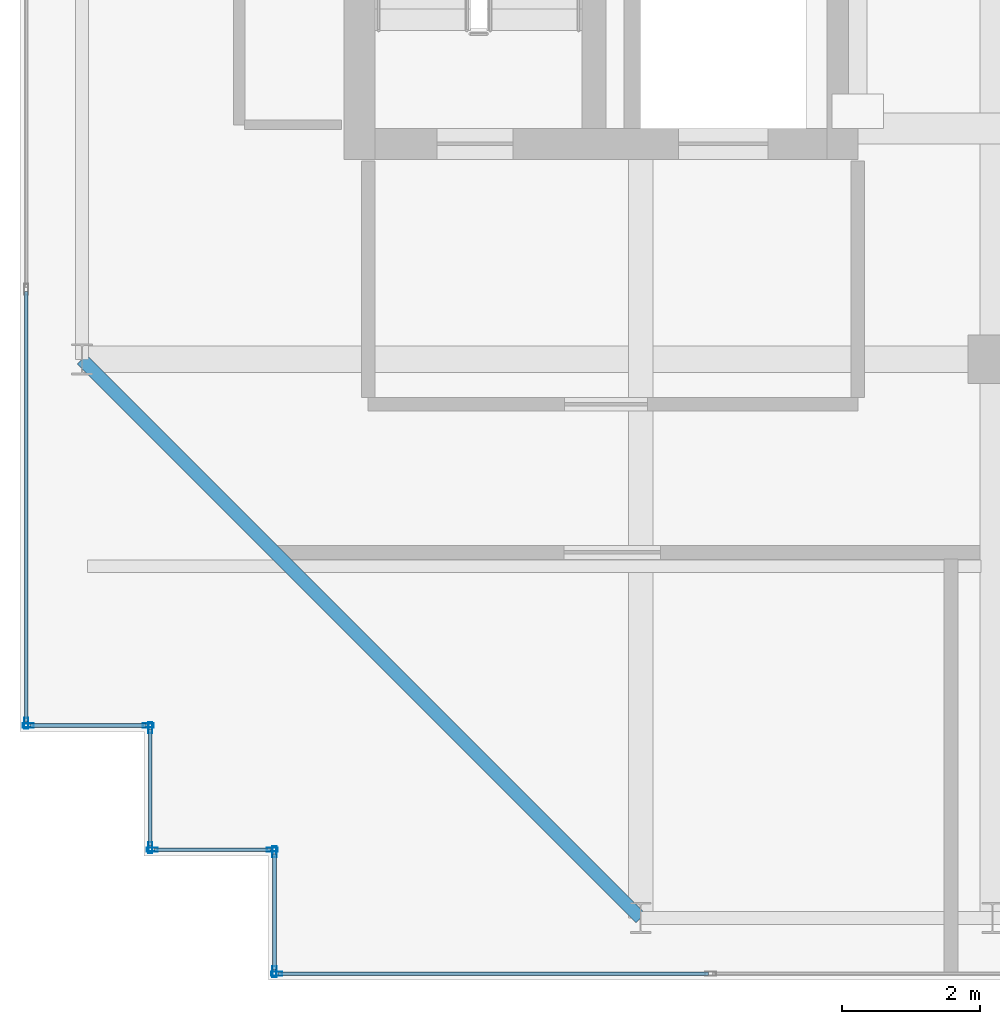
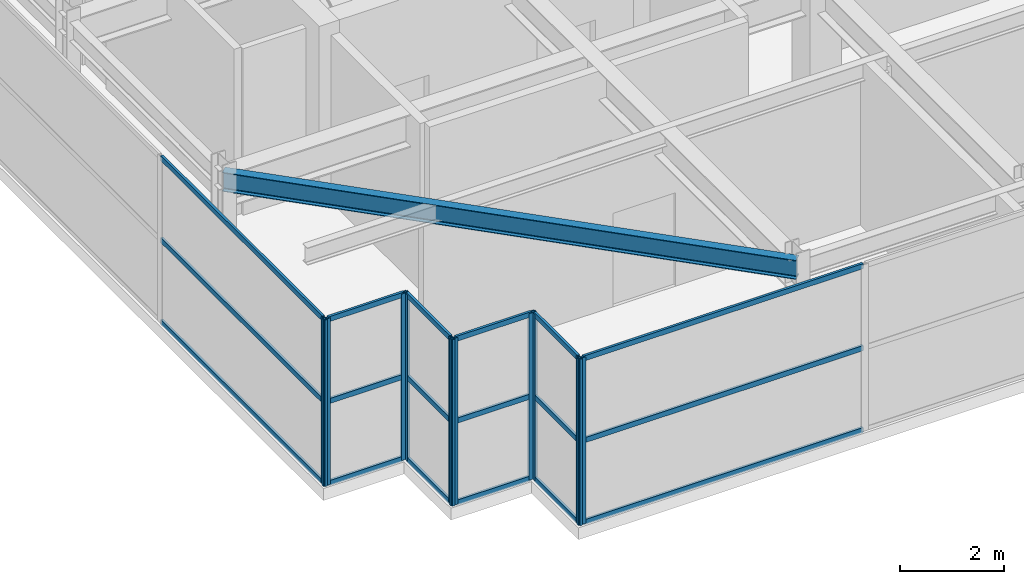
# One storey, part 2 of 32: 28 members, 1 beam, 6 elements without a shape of their own.
"""IFC4 building model written with IfcOpenShell, lengths in metres."""

from ifc_helpers import new_model, si_unit, direction, frame, origin, origin_2d, place, context, subcontext, project, spatial, hollow_rectangle, i_section, extrude, source, transform, mapped, material, layer, layer_set, material_profile, profile_set, type_object, element, aggregate, save


model = new_model("IFC4")

# Units and contexts
model_context = context("Model", 3, precision=1e-05, world=origin(), true_north=direction((0.0, 1.0)))
body_context = subcontext(model_context, "Body", "Model", "MODEL_VIEW")
ifc_project = project(units=[si_unit("LENGTHUNIT", "METRE"), si_unit("AREAUNIT", "SQUARE_METRE"), si_unit("VOLUMEUNIT", "CUBIC_METRE"), si_unit("PLANEANGLEUNIT", "RADIAN"), si_unit("MASSUNIT", "GRAM", prefix="KILO")], contexts=[model_context])

# Site, building, storey
site_placement = place(None, origin())
site = spatial("IfcSite", under=ifc_project, at=site_placement, CompositionType="ELEMENT")
building_placement = place(site_placement, origin())
building = spatial("IfcBuilding", under=site, at=building_placement, Name="Khoralis Quay Care Tower", CompositionType="ELEMENT")
storey_placement = place(building_placement, frame((0.0, 0.0, 306.300048828125)))
storey = spatial("IfcBuildingStorey", under=building, at=storey_placement, Name="L80", CompositionType="ELEMENT", Elevation=306.300048828125)

# Beam
ifc_material_1 = material(Name="Steel S355", Category="steel")
ifc_material_profile_1 = material_profile(ifc_material_1, i_section(OverallWidth=0.18994140625, OverallDepth=0.449951171875, WebThickness=0.009521484375, FlangeThickness=0.0146484375, FilletRadius=0.02099609375, at=origin_2d()), Name="Steel S355")
ifc_profile_set_1 = profile_set([ifc_material_profile_1], Name="Steel S355")
beam_type = type_object("IfcBeamType", Name="BM-IPE450", PredefinedType="SPANDREL", material=ifc_profile_set_1)
shared_shape_1 = source(origin(), body_context, "Body", "SweptSolid", [
    extrude(i_section(OverallWidth=0.18994140625, OverallDepth=0.449951171875, WebThickness=0.009521484375, FlangeThickness=0.0146484375, FilletRadius=0.02099609375, at=origin_2d()), origin(), (0.0, 0.0, 1.0), 11.455322265625),
])
beam_placement = place(storey_placement, frame((12.0, 3.89990234375, 3.695068359375), z_axis=(-0.707106781187, 0.707106781187, 0.0), x_axis=(-0.707106781187, -0.707106781187, 0.0)))
element("IfcBeam", 1, at=beam_placement, inside=storey, type_object=beam_type, Name="BM-TCR-L80-17", PredefinedType="SPANDREL", context=body_context, shape_type="MappedRepresentation", body=[
    mapped(shared_shape_1, transform((0.0, 0.0, 0.0), scale=1.0)),
])

# Curtain wall, members
ifc_material_2 = material(Name="Pale anodised aluminium", Category="aluminium")
ifc_layer = layer(ifc_material_2, 0.199951171875)
ifc_layer_set = layer_set([ifc_layer], Name="Pale anodised aluminium")
curtain_wall_type = type_object("IfcCurtainWallType", Name="CW-SYS-LANTERN", PredefinedType="NOTDEFINED", material=ifc_layer_set)
curtain_wall_1_placement = place(storey_placement, origin())
curtain_wall_1 = element("IfcCurtainWall", 2, at=curtain_wall_1_placement, inside=storey, type_object=curtain_wall_type, Name="L80 Unitised Curtain Wall CW-LN-L80-01", PredefinedType="NOTDEFINED")
ifc_material_profile_2 = material_profile(ifc_material_2, hollow_rectangle(XDim=0.054931640625, YDim=0.1201171875, WallThickness=0.00390625, at=origin_2d()), Name="Pale anodised aluminium")
ifc_profile_set_2 = profile_set([ifc_material_profile_2], Name="Pale anodised aluminium")
member_type_1 = type_object("IfcMemberType", Name="CW-TRN-120", PredefinedType="USERDEFINED", material=ifc_profile_set_2)
shared_shape_2 = source(origin(), body_context, "Body", "SweptSolid", [
    extrude(hollow_rectangle(XDim=0.054931640625, YDim=0.1201171875, WallThickness=0.00390625, at=origin_2d()), origin(), (0.0, 0.0, 1.0), 6.23388671875),
])
member_1_placement = place(storey_placement, frame((6.75, 3.090087890625, 0.030029296875), z_axis=(1.0, 0.0, 0.0), x_axis=(0.0, 1.0, 0.0)))
member_1 = element("IfcMember", 3, at=member_1_placement, type_object=member_type_1, Name="CW5 transom 1.1", ObjectType="TRANSOM", PredefinedType="USERDEFINED", context=body_context, shape_type="MappedRepresentation", body=[
    mapped(shared_shape_2, transform((0.0, 0.0, 0.0), scale=1.0)),
])
member_2_placement = place(storey_placement, frame((6.75, 3.090087890625, 1.9599609375), z_axis=(1.0, 0.0, 0.0), x_axis=(0.0, 1.0, 0.0)))
member_2 = element("IfcMember", 4, at=member_2_placement, type_object=member_type_1, Name="CW5 transom 1.2", ObjectType="TRANSOM", PredefinedType="USERDEFINED", context=body_context, shape_type="MappedRepresentation", body=[
    mapped(shared_shape_2, transform((0.0, 0.0, 0.0), scale=1.0)),
])
member_3_placement = place(storey_placement, frame((6.75, 3.090087890625, 3.889892578125), z_axis=(1.0, 0.0, 0.0), x_axis=(0.0, 1.0, 0.0)))
member_3 = element("IfcMember", 5, at=member_3_placement, type_object=member_type_1, Name="CW5 transom 1.3", ObjectType="TRANSOM", PredefinedType="USERDEFINED", context=body_context, shape_type="MappedRepresentation", body=[
    mapped(shared_shape_2, transform((0.0, 0.0, 0.0), scale=1.0)),
])

curtain_wall_2_placement = place(storey_placement, origin())
curtain_wall_2 = element("IfcCurtainWall", 6, at=curtain_wall_2_placement, inside=storey, type_object=curtain_wall_type, Name="L80 Unitised Curtain Wall CW-LN-L80-16", PredefinedType="NOTDEFINED")
member_4_placement = place(storey_placement, frame((3.090087890625, 12.98388671875, 0.030029296875), z_axis=(0.0, -1.0, 0.0), x_axis=(1.0, 0.0, 0.0)))
member_4 = element("IfcMember", 7, at=member_4_placement, type_object=member_type_1, Name="CW5 transom 5.1", ObjectType="TRANSOM", PredefinedType="USERDEFINED", context=body_context, shape_type="MappedRepresentation", body=[
    mapped(shared_shape_2, transform((0.0, 0.0, 0.0), scale=1.0)),
])
member_5_placement = place(storey_placement, frame((3.090087890625, 12.98388671875, 1.9599609375), z_axis=(0.0, -1.0, 0.0), x_axis=(1.0, 0.0, 0.0)))
member_5 = element("IfcMember", 8, at=member_5_placement, type_object=member_type_1, Name="CW5 transom 5.2", ObjectType="TRANSOM", PredefinedType="USERDEFINED", context=body_context, shape_type="MappedRepresentation", body=[
    mapped(shared_shape_2, transform((0.0, 0.0, 0.0), scale=1.0)),
])
member_6_placement = place(storey_placement, frame((3.090087890625, 12.98388671875, 3.889892578125), z_axis=(0.0, -1.0, 0.0), x_axis=(1.0, 0.0, 0.0)))
member_6 = element("IfcMember", 9, at=member_6_placement, type_object=member_type_1, Name="CW5 transom 5.3", ObjectType="TRANSOM", PredefinedType="USERDEFINED", context=body_context, shape_type="MappedRepresentation", body=[
    mapped(shared_shape_2, transform((0.0, 0.0, 0.0), scale=1.0)),
])

curtain_wall_3_placement = place(storey_placement, origin())
curtain_wall_3 = element("IfcCurtainWall", 10, at=curtain_wall_3_placement, inside=storey, type_object=curtain_wall_type, Name="L80 Unitised Curtain Wall CW-LN-L80-17", PredefinedType="NOTDEFINED")
shared_shape_3 = source(origin(), body_context, "Body", "SweptSolid", [
    extrude(hollow_rectangle(XDim=0.054931640625, YDim=0.1201171875, WallThickness=0.00390625, at=origin_2d()), origin(), (0.0, 0.0, 1.0), 1.68017578125),
])
member_7_placement = place(storey_placement, frame((3.14990234375, 6.68994140625, 0.030029296875), z_axis=(1.0, 0.0, 0.0), x_axis=(0.0, 1.0, 0.0)))
member_7 = element("IfcMember", 11, at=member_7_placement, type_object=member_type_1, Name="CW5 transom 1.1", ObjectType="TRANSOM", PredefinedType="USERDEFINED", context=body_context, shape_type="MappedRepresentation", body=[
    mapped(shared_shape_3, transform((0.0, 0.0, 0.0), scale=1.0)),
])
member_8_placement = place(storey_placement, frame((3.14990234375, 6.68994140625, 1.9599609375), z_axis=(1.0, 0.0, 0.0), x_axis=(0.0, 1.0, 0.0)))
member_8 = element("IfcMember", 12, at=member_8_placement, type_object=member_type_1, Name="CW5 transom 1.2", ObjectType="TRANSOM", PredefinedType="USERDEFINED", context=body_context, shape_type="MappedRepresentation", body=[
    mapped(shared_shape_3, transform((0.0, 0.0, 0.0), scale=1.0)),
])
member_9_placement = place(storey_placement, frame((3.14990234375, 6.68994140625, 3.889892578125), z_axis=(1.0, 0.0, 0.0), x_axis=(0.0, 1.0, 0.0)))
member_9 = element("IfcMember", 13, at=member_9_placement, type_object=member_type_1, Name="CW5 transom 1.3", ObjectType="TRANSOM", PredefinedType="USERDEFINED", context=body_context, shape_type="MappedRepresentation", body=[
    mapped(shared_shape_3, transform((0.0, 0.0, 0.0), scale=1.0)),
])

curtain_wall_4_placement = place(storey_placement, origin())
curtain_wall_4 = element("IfcCurtainWall", 14, at=curtain_wall_4_placement, inside=storey, type_object=curtain_wall_type, Name="L80 Unitised Curtain Wall CW-LN-L80-20", PredefinedType="NOTDEFINED")
member_10_placement = place(storey_placement, frame((6.68994140625, 4.830078125, 0.030029296875), z_axis=(0.0, -1.0, 0.0), x_axis=(1.0, 0.0, 0.0)))
member_10 = element("IfcMember", 15, at=member_10_placement, type_object=member_type_1, Name="CW5 transom 1.1", ObjectType="TRANSOM", PredefinedType="USERDEFINED", context=body_context, shape_type="MappedRepresentation", body=[
    mapped(shared_shape_3, transform((0.0, 0.0, 0.0), scale=1.0)),
])
member_11_placement = place(storey_placement, frame((6.68994140625, 4.830078125, 1.9599609375), z_axis=(0.0, -1.0, 0.0), x_axis=(1.0, 0.0, 0.0)))
member_11 = element("IfcMember", 16, at=member_11_placement, type_object=member_type_1, Name="CW5 transom 1.2", ObjectType="TRANSOM", PredefinedType="USERDEFINED", context=body_context, shape_type="MappedRepresentation", body=[
    mapped(shared_shape_3, transform((0.0, 0.0, 0.0), scale=1.0)),
])
member_12_placement = place(storey_placement, frame((6.68994140625, 4.830078125, 3.889892578125), z_axis=(0.0, -1.0, 0.0), x_axis=(1.0, 0.0, 0.0)))
member_12 = element("IfcMember", 17, at=member_12_placement, type_object=member_type_1, Name="CW5 transom 1.3", ObjectType="TRANSOM", PredefinedType="USERDEFINED", context=body_context, shape_type="MappedRepresentation", body=[
    mapped(shared_shape_3, transform((0.0, 0.0, 0.0), scale=1.0)),
])

curtain_wall_5_placement = place(storey_placement, origin())
curtain_wall_5 = element("IfcCurtainWall", 18, at=curtain_wall_5_placement, inside=storey, type_object=curtain_wall_type, Name="L80 Unitised Curtain Wall CW-LN-L80-18", PredefinedType="NOTDEFINED")
shared_shape_4 = source(origin(), body_context, "Body", "SweptSolid", [
    extrude(hollow_rectangle(XDim=0.054931640625, YDim=0.1201171875, WallThickness=0.00390625, at=origin_2d()), origin(), (0.0, 0.0, 1.0), 1.679931640625),
])
member_13_placement = place(storey_placement, frame((4.889892578125, 6.6298828125, 0.030029296875), z_axis=(0.0, -1.0, 0.0), x_axis=(1.0, 0.0, 0.0)))
member_13 = element("IfcMember", 19, at=member_13_placement, type_object=member_type_1, Name="CW5 transom 1.1", ObjectType="TRANSOM", PredefinedType="USERDEFINED", context=body_context, shape_type="MappedRepresentation", body=[
    mapped(shared_shape_4, transform((0.0, 0.0, 0.0), scale=1.0)),
])
member_14_placement = place(storey_placement, frame((4.889892578125, 6.6298828125, 1.9599609375), z_axis=(0.0, -1.0, 0.0), x_axis=(1.0, 0.0, 0.0)))
member_14 = element("IfcMember", 20, at=member_14_placement, type_object=member_type_1, Name="CW5 transom 1.2", ObjectType="TRANSOM", PredefinedType="USERDEFINED", context=body_context, shape_type="MappedRepresentation", body=[
    mapped(shared_shape_4, transform((0.0, 0.0, 0.0), scale=1.0)),
])
member_15_placement = place(storey_placement, frame((4.889892578125, 6.6298828125, 3.889892578125), z_axis=(0.0, -1.0, 0.0), x_axis=(1.0, 0.0, 0.0)))
member_15 = element("IfcMember", 21, at=member_15_placement, type_object=member_type_1, Name="CW5 transom 1.3", ObjectType="TRANSOM", PredefinedType="USERDEFINED", context=body_context, shape_type="MappedRepresentation", body=[
    mapped(shared_shape_4, transform((0.0, 0.0, 0.0), scale=1.0)),
])

curtain_wall_6_placement = place(storey_placement, origin())
curtain_wall_6 = element("IfcCurtainWall", 22, at=curtain_wall_6_placement, inside=storey, type_object=curtain_wall_type, Name="L80 Unitised Curtain Wall CW-LN-L80-19", PredefinedType="NOTDEFINED")
member_16_placement = place(storey_placement, frame((4.949951171875, 4.889892578125, 0.030029296875), z_axis=(1.0, 0.0, 0.0), x_axis=(0.0, 1.0, 0.0)))
member_16 = element("IfcMember", 23, at=member_16_placement, type_object=member_type_1, Name="CW5 transom 1.1", ObjectType="TRANSOM", PredefinedType="USERDEFINED", context=body_context, shape_type="MappedRepresentation", body=[
    mapped(shared_shape_4, transform((0.0, 0.0, 0.0), scale=1.0)),
])
member_17_placement = place(storey_placement, frame((4.949951171875, 4.889892578125, 1.9599609375), z_axis=(1.0, 0.0, 0.0), x_axis=(0.0, 1.0, 0.0)))
member_17 = element("IfcMember", 24, at=member_17_placement, type_object=member_type_1, Name="CW5 transom 1.2", ObjectType="TRANSOM", PredefinedType="USERDEFINED", context=body_context, shape_type="MappedRepresentation", body=[
    mapped(shared_shape_4, transform((0.0, 0.0, 0.0), scale=1.0)),
])
member_18_placement = place(storey_placement, frame((4.949951171875, 4.889892578125, 3.889892578125), z_axis=(1.0, 0.0, 0.0), x_axis=(0.0, 1.0, 0.0)))
member_18 = element("IfcMember", 25, at=member_18_placement, type_object=member_type_1, Name="CW5 transom 1.3", ObjectType="TRANSOM", PredefinedType="USERDEFINED", context=body_context, shape_type="MappedRepresentation", body=[
    mapped(shared_shape_4, transform((0.0, 0.0, 0.0), scale=1.0)),
])

# Member
ifc_material_profile_3 = material_profile(ifc_material_2, hollow_rectangle(XDim=0.06005859375, YDim=0.159912109375, WallThickness=0.00390625, at=origin_2d()), Name="Pale anodised aluminium")
ifc_profile_set_3 = profile_set([ifc_material_profile_3], Name="Pale anodised aluminium")
member_type_2 = type_object("IfcMemberType", Name="CW-MUL-160", PredefinedType="MULLION", material=ifc_profile_set_3)
shared_shape_5 = source(origin(), body_context, "Body", "SweptSolid", [
    extrude(hollow_rectangle(XDim=0.06005859375, YDim=0.159912109375, WallThickness=0.00390625, at=origin_2d()), origin(), (0.0, 0.0, 1.0), 3.919921875),
])
member_19_placement = place(storey_placement, frame((6.719970703125, 3.090087890625, 0.0), z_axis=(0.0, 0.0, 1.0), x_axis=(0.0, 1.0, 0.0)))
member_19 = element("IfcMember", 26, at=member_19_placement, type_object=member_type_2, Name="CW5 mullion 1", PredefinedType="MULLION", context=body_context, shape_type="MappedRepresentation", body=[
    mapped(shared_shape_5, transform((0.0, 0.0, 0.0), scale=1.0)),
])

aggregate(curtain_wall_1, [member_19, member_1, member_2, member_3])

member_20_placement = place(storey_placement, frame((3.090087890625, 6.719970703125, 0.0), z_axis=(0.0, 0.0, 1.0), x_axis=(1.0, 0.0, 0.0)))
member_20 = element("IfcMember", 27, at=member_20_placement, type_object=member_type_2, Name="CW5 mullion 6", PredefinedType="MULLION", context=body_context, shape_type="MappedRepresentation", body=[
    mapped(shared_shape_5, transform((0.0, 0.0, 0.0), scale=1.0)),
])

aggregate(curtain_wall_2, [member_20, member_4, member_5, member_6])

member_21_placement = place(storey_placement, frame((3.1201171875, 6.68994140625, 0.0), z_axis=(0.0, 0.0, 1.0), x_axis=(0.0, 1.0, 0.0)))
member_21 = element("IfcMember", 28, at=member_21_placement, type_object=member_type_2, Name="CW5 mullion 1", PredefinedType="MULLION", context=body_context, shape_type="MappedRepresentation", body=[
    mapped(shared_shape_5, transform((0.0, 0.0, 0.0), scale=1.0)),
])

member_22_placement = place(storey_placement, frame((4.860107421875, 6.68994140625, 0.0), z_axis=(0.0, 0.0, 1.0), x_axis=(0.0, 1.0, 0.0)))
member_22 = element("IfcMember", 29, at=member_22_placement, type_object=member_type_2, Name="CW5 mullion 2", PredefinedType="MULLION", context=body_context, shape_type="MappedRepresentation", body=[
    mapped(shared_shape_5, transform((0.0, 0.0, 0.0), scale=1.0)),
])

aggregate(curtain_wall_3, [member_21, member_22, member_7, member_8, member_9])

member_23_placement = place(storey_placement, frame((4.889892578125, 6.659912109375, 0.0), z_axis=(0.0, 0.0, 1.0), x_axis=(1.0, 0.0, 0.0)))
member_23 = element("IfcMember", 30, at=member_23_placement, type_object=member_type_2, Name="CW5 mullion 1", PredefinedType="MULLION", context=body_context, shape_type="MappedRepresentation", body=[
    mapped(shared_shape_5, transform((0.0, 0.0, 0.0), scale=1.0)),
])

member_24_placement = place(storey_placement, frame((4.889892578125, 4.919921875, 0.0), z_axis=(0.0, 0.0, 1.0), x_axis=(1.0, 0.0, 0.0)))
member_24 = element("IfcMember", 31, at=member_24_placement, type_object=member_type_2, Name="CW5 mullion 2", PredefinedType="MULLION", context=body_context, shape_type="MappedRepresentation", body=[
    mapped(shared_shape_5, transform((0.0, 0.0, 0.0), scale=1.0)),
])

aggregate(curtain_wall_5, [member_23, member_24, member_13, member_14, member_15])

member_25_placement = place(storey_placement, frame((4.919921875, 4.889892578125, 0.0), z_axis=(0.0, 0.0, 1.0), x_axis=(0.0, 1.0, 0.0)))
member_25 = element("IfcMember", 32, at=member_25_placement, type_object=member_type_2, Name="CW5 mullion 1", PredefinedType="MULLION", context=body_context, shape_type="MappedRepresentation", body=[
    mapped(shared_shape_5, transform((0.0, 0.0, 0.0), scale=1.0)),
])

member_26_placement = place(storey_placement, frame((6.659912109375, 4.889892578125, 0.0), z_axis=(0.0, 0.0, 1.0), x_axis=(0.0, 1.0, 0.0)))
member_26 = element("IfcMember", 33, at=member_26_placement, type_object=member_type_2, Name="CW5 mullion 2", PredefinedType="MULLION", context=body_context, shape_type="MappedRepresentation", body=[
    mapped(shared_shape_5, transform((0.0, 0.0, 0.0), scale=1.0)),
])

aggregate(curtain_wall_6, [member_25, member_26, member_16, member_17, member_18])

member_27_placement = place(storey_placement, frame((6.68994140625, 4.860107421875, 0.0), z_axis=(0.0, 0.0, 1.0), x_axis=(1.0, 0.0, 0.0)))
member_27 = element("IfcMember", 34, at=member_27_placement, type_object=member_type_2, Name="CW5 mullion 1", PredefinedType="MULLION", context=body_context, shape_type="MappedRepresentation", body=[
    mapped(shared_shape_5, transform((0.0, 0.0, 0.0), scale=1.0)),
])

member_28_placement = place(storey_placement, frame((6.68994140625, 3.1201171875, 0.0), z_axis=(0.0, 0.0, 1.0), x_axis=(1.0, 0.0, 0.0)))
member_28 = element("IfcMember", 35, at=member_28_placement, type_object=member_type_2, Name="CW5 mullion 2", PredefinedType="MULLION", context=body_context, shape_type="MappedRepresentation", body=[
    mapped(shared_shape_5, transform((0.0, 0.0, 0.0), scale=1.0)),
])

aggregate(curtain_wall_4, [member_27, member_28, member_10, member_11, member_12])

save(model, "model.ifc")
